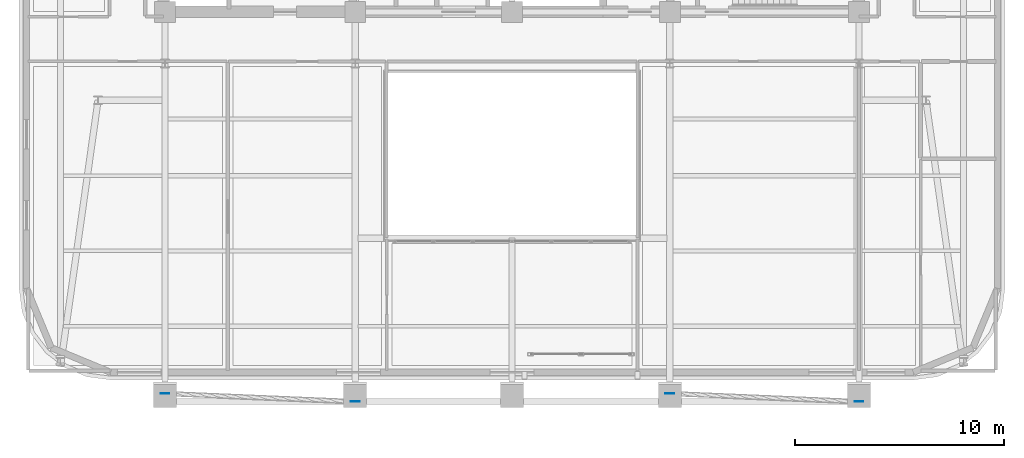
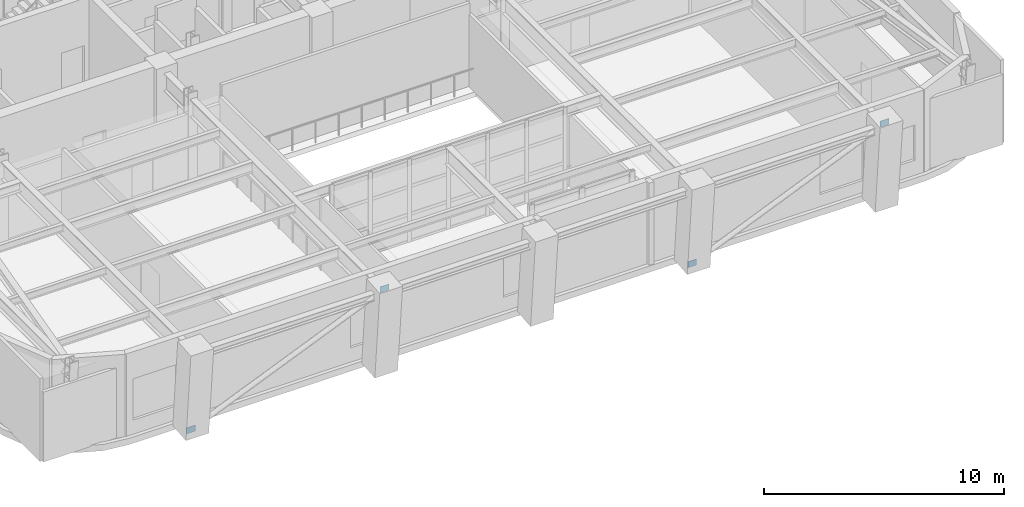
# One storey, part 5 of 13: 4 plates.
"""IFC4 building model written with IfcOpenShell, lengths in metres."""

from ifc_helpers import new_model, si_unit, direction, frame, origin, origin_2d, place, context, subcontext, project, spatial, rectangle, extrude, material, layer, layer_set, type_object, element, save


model = new_model("IFC4")

# Units and contexts
model_context = context("Model", 3, precision=1e-05, world=origin(), true_north=direction((0.0, 1.0)))
body_context = subcontext(model_context, "Body", "Model", "MODEL_VIEW")
ifc_project = project(units=[si_unit("LENGTHUNIT", "METRE"), si_unit("AREAUNIT", "SQUARE_METRE"), si_unit("VOLUMEUNIT", "CUBIC_METRE"), si_unit("PLANEANGLEUNIT", "RADIAN"), si_unit("MASSUNIT", "GRAM", prefix="KILO")], contexts=[model_context])

# Site, building, storey
site_placement = place(None, origin())
site = spatial("IfcSite", under=ifc_project, at=site_placement, CompositionType="ELEMENT")
building_placement = place(site_placement, origin())
building = spatial("IfcBuilding", under=site, at=building_placement, Name="Zarnavel Station Tower", CompositionType="ELEMENT")
storey_placement = place(building_placement, frame((0.0, 0.0, 183.85009765625)))
storey = spatial("IfcBuildingStorey", under=building, at=storey_placement, Name="L50", CompositionType="ELEMENT", Elevation=183.85009765625)

# Plates
ifc_material = material(Name="Steel S460M", Category="steel")
ifc_layer = layer(ifc_material, 0.02490234375)
ifc_layer_set = layer_set([ifc_layer], Name="GP_GUSSET_25")
plate_type = type_object("IfcPlateType", Name="GP_GUSSET_25", PredefinedType="USERDEFINED", material=ifc_layer_set)
for number, where, z_axis, x_axis, name in (
    (1, (12.199951171875, 9.5673828125, -0.14990234375), (0.0, 0.0, 1.0), (1.0, 0.0, 0.0), "L50 Exterior Diagonal Brace End Gusset 1-1"),
    (2, (21.300048828125, 9.18408203125, 4.080078125), (0.0, 0.0, 1.0), (1.0, 0.0, 0.0), "L50 Exterior Diagonal Brace End Gusset 1-2"),
    (3, (36.35009765625, 9.5673828125, -0.14990234375), (0.0, 0.0, 1.0), (1.0, 0.0, 0.0), "L50 Exterior Diagonal Brace End Gusset 2-1"),
    (4, (45.39990234375, 9.18408203125, 4.080078125), (0.0, 0.0, 1.0), (1.0, 0.0, 0.0), "L50 Exterior Diagonal Brace End Gusset 2-2"),
):
    element("IfcPlate", number, at=place(storey_placement, frame(where, z_axis=z_axis, x_axis=x_axis)), inside=storey, type_object=plate_type, Name=name, ObjectType="GUSSET_PLATE", PredefinedType="USERDEFINED", context=body_context, shape_type="SweptSolid", body=[
        extrude(rectangle(XDim=0.419921875, YDim=0.02490234375, at=origin_2d()), origin(), (0.0, 0.0, 1.0), 0.300048828125),
    ])

save(model, "model.ifc")
